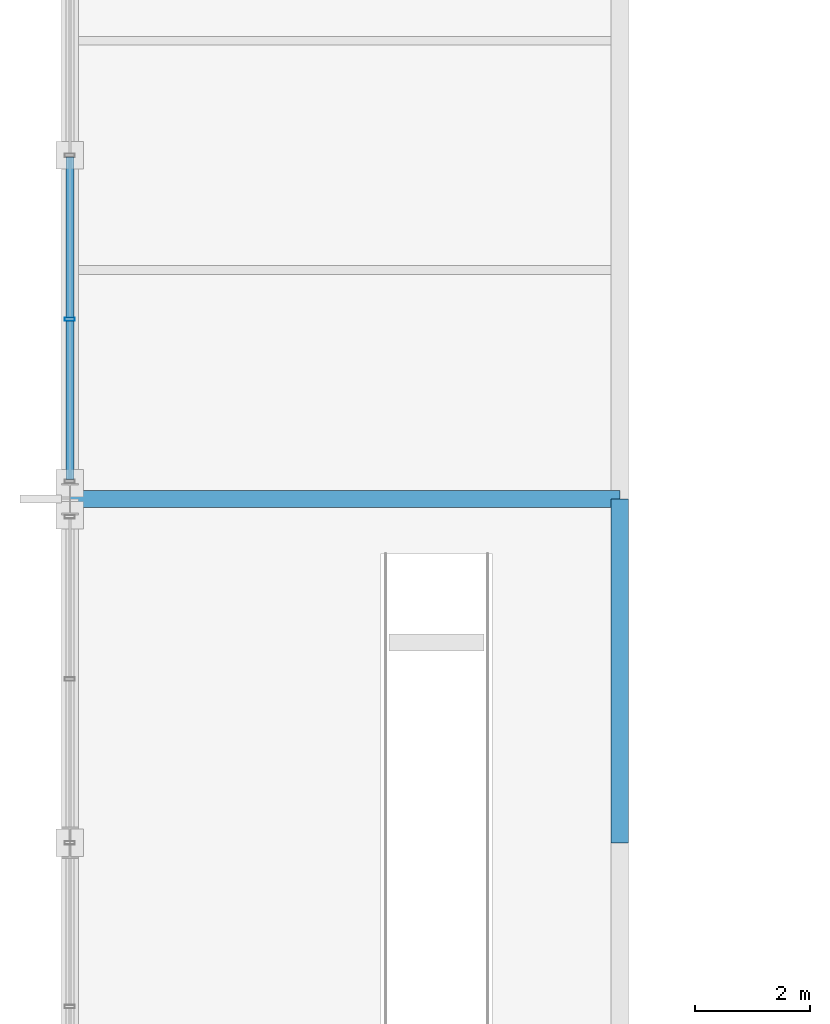
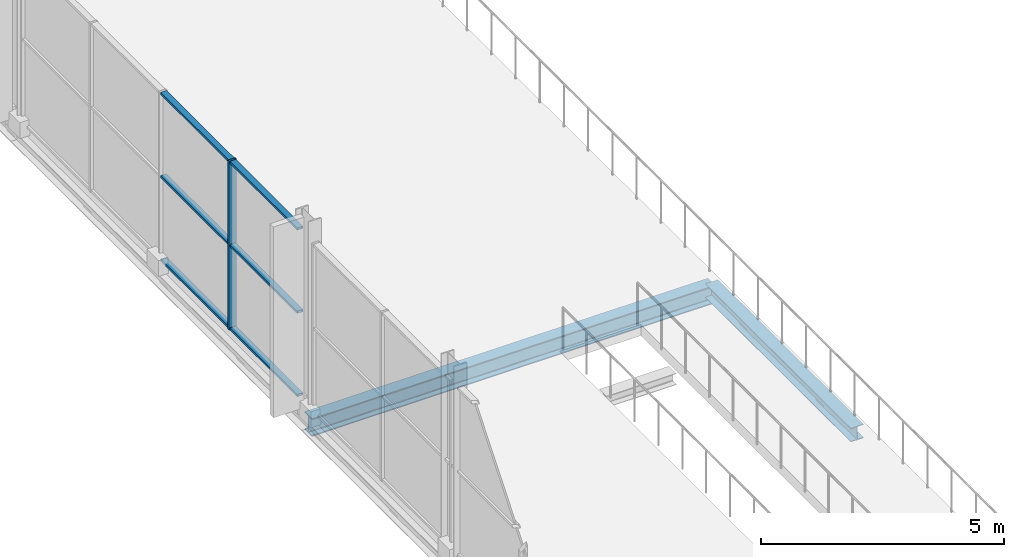
# One storey, part 35 of 159: 7 members, 2 beams, 1 element without a shape of its own.
"""IFC4 building model written with IfcOpenShell, lengths in metres."""

from ifc_helpers import new_model, si_unit, direction, frame, origin, origin_2d, place, context, subcontext, project, spatial, hollow_rectangle, i_section, extrude, material, material_profile, profile_set, type_object, element, aggregate, save


model = new_model("IFC4")

# Units and contexts
model_context = context("Model", 3, precision=1e-05, world=origin(), true_north=direction((0.0, 1.0)))
body_context = subcontext(model_context, "Body", "Model", "MODEL_VIEW")
ifc_project = project(units=[si_unit("LENGTHUNIT", "METRE"), si_unit("AREAUNIT", "SQUARE_METRE"), si_unit("VOLUMEUNIT", "CUBIC_METRE"), si_unit("PLANEANGLEUNIT", "RADIAN"), si_unit("MASSUNIT", "GRAM", prefix="KILO")], contexts=[model_context])

# Site, building, storey
site_placement = place(None, origin())
site = spatial("IfcSite", under=ifc_project, at=site_placement, CompositionType="ELEMENT")
building_placement = place(site_placement, origin())
building = spatial("IfcBuilding", under=site, at=building_placement, Name="Merenkruunu Market Hall", CompositionType="ELEMENT")
storey_placement = place(building_placement, frame((0.0, 0.0, 5.39990234375)))
storey = spatial("IfcBuildingStorey", under=building, at=storey_placement, Name="L01", CompositionType="ELEMENT", Elevation=5.39990234375)

# Curtain wall, members
ifc_material_1 = material(Name="Powder-coated aluminium", Category="aluminium")
curtain_wall_type = type_object("IfcCurtainWallType", Name="Glazed Curtain Wall CW02", PredefinedType="USERDEFINED", material=ifc_material_1)
curtain_wall_placement = place(storey_placement, origin())
curtain_wall = element("IfcCurtainWall", 1, at=curtain_wall_placement, inside=storey, type_object=curtain_wall_type, Name="CW-L01-CWM02-011", ObjectType="GLAZED_FACADE", PredefinedType="USERDEFINED")
ifc_material_profile_1 = material_profile(ifc_material_1, hollow_rectangle(XDim=0.06005859375, YDim=0.179931640625, WallThickness=0.00390625, at=origin_2d()), Name="ALU 60x180x4")
ifc_profile_set_1 = profile_set([ifc_material_profile_1], Name="Powder-coated aluminium")
member_type_1 = type_object("IfcMemberType", Name="Curtain Wall Mullion CWM02", PredefinedType="MULLION", material=ifc_profile_set_1)
member_1_placement = place(storey_placement, frame((0.0, 54.739990234375, 0.0), z_axis=(0.0, 0.0, 1.0), x_axis=(0.0, 1.0, 0.0)))
member_1 = element("IfcMember", 2, at=member_1_placement, type_object=member_type_1, Name="CW02 mullion 2", PredefinedType="MULLION", context=body_context, shape_type="SweptSolid", body=[
    extrude(hollow_rectangle(XDim=0.06005859375, YDim=0.179931640625, WallThickness=0.00390625, at=origin_2d()), origin(), (0.0, 0.0, 1.0), 4.25),
])
ifc_material_profile_2 = material_profile(ifc_material_1, hollow_rectangle(XDim=0.06005859375, YDim=0.139892578125, WallThickness=0.00390625, at=origin_2d()), Name="ALU 60x140x4")
ifc_profile_set_2 = profile_set([ifc_material_profile_2], Name="Powder-coated aluminium")
member_type_2 = type_object("IfcMemberType", Name="Curtain Wall Transom CWT02", PredefinedType="USERDEFINED", material=ifc_profile_set_2)
member_2_placement = place(storey_placement, frame((0.0, 51.93994140625, 0.030029296875), z_axis=(0.0, 1.0, 0.0), x_axis=(0.0, 0.0, 1.0)))
member_2 = element("IfcMember", 3, at=member_2_placement, type_object=member_type_2, Name="CW02 transom 1.1", ObjectType="TRANSOM", PredefinedType="USERDEFINED", context=body_context, shape_type="SweptSolid", body=[
    extrude(hollow_rectangle(XDim=0.06005859375, YDim=0.139892578125, WallThickness=0.00390625, at=origin_2d()), origin(), (0.0, 0.0, 1.0), 2.77001953125),
])
member_3_placement = place(storey_placement, frame((0.0, 51.93994140625, 2.125), z_axis=(0.0, 1.0, 0.0), x_axis=(0.0, 0.0, 1.0)))
member_3 = element("IfcMember", 4, at=member_3_placement, type_object=member_type_2, Name="CW02 transom 1.2", ObjectType="TRANSOM", PredefinedType="USERDEFINED", context=body_context, shape_type="SweptSolid", body=[
    extrude(hollow_rectangle(XDim=0.06005859375, YDim=0.139892578125, WallThickness=0.00390625, at=origin_2d()), origin(), (0.0, 0.0, 1.0), 2.77001953125),
])
member_4_placement = place(storey_placement, frame((0.0, 51.93994140625, 4.22021484375), z_axis=(0.0, 1.0, 0.0), x_axis=(0.0, 0.0, 1.0)))
member_4 = element("IfcMember", 5, at=member_4_placement, type_object=member_type_2, Name="CW02 transom 1.3", ObjectType="TRANSOM", PredefinedType="USERDEFINED", context=body_context, shape_type="SweptSolid", body=[
    extrude(hollow_rectangle(XDim=0.06005859375, YDim=0.139892578125, WallThickness=0.00390625, at=origin_2d()), origin(), (0.0, 0.0, 1.0), 2.77001953125),
])
member_5_placement = place(storey_placement, frame((0.0, 54.77001953125, 0.030029296875), z_axis=(0.0, 1.0, 0.0), x_axis=(0.0, 0.0, 1.0)))
member_5 = element("IfcMember", 6, at=member_5_placement, type_object=member_type_2, Name="CW02 transom 2.1", ObjectType="TRANSOM", PredefinedType="USERDEFINED", context=body_context, shape_type="SweptSolid", body=[
    extrude(hollow_rectangle(XDim=0.06005859375, YDim=0.139892578125, WallThickness=0.00390625, at=origin_2d()), origin(), (0.0, 0.0, 1.0), 2.800048828125),
])
member_6_placement = place(storey_placement, frame((0.0, 54.77001953125, 2.125), z_axis=(0.0, 1.0, 0.0), x_axis=(0.0, 0.0, 1.0)))
member_6 = element("IfcMember", 7, at=member_6_placement, type_object=member_type_2, Name="CW02 transom 2.2", ObjectType="TRANSOM", PredefinedType="USERDEFINED", context=body_context, shape_type="SweptSolid", body=[
    extrude(hollow_rectangle(XDim=0.06005859375, YDim=0.139892578125, WallThickness=0.00390625, at=origin_2d()), origin(), (0.0, 0.0, 1.0), 2.800048828125),
])
member_7_placement = place(storey_placement, frame((0.0, 54.77001953125, 4.22021484375), z_axis=(0.0, 1.0, 0.0), x_axis=(0.0, 0.0, 1.0)))
member_7 = element("IfcMember", 8, at=member_7_placement, type_object=member_type_2, Name="CW02 transom 2.3", ObjectType="TRANSOM", PredefinedType="USERDEFINED", context=body_context, shape_type="SweptSolid", body=[
    extrude(hollow_rectangle(XDim=0.06005859375, YDim=0.139892578125, WallThickness=0.00390625, at=origin_2d()), origin(), (0.0, 0.0, 1.0), 2.800048828125),
])
aggregate(curtain_wall, [member_1, member_2, member_3, member_4, member_5, member_6, member_7])

# Beams
ifc_material_2 = material(Name="Steel S355J2", Category="steel")
ifc_material_profile_3 = material_profile(ifc_material_2, i_section(OverallWidth=0.300048828125, OverallDepth=0.449951171875, WebThickness=0.013916015625, FlangeThickness=0.02587890625, FilletRadius=0.027099609375, at=origin_2d()), Name="HEB 450")
ifc_profile_set_3 = profile_set([ifc_material_profile_3], Name="Steel S355J2")
beam_type_1 = type_object("IfcBeamType", Name="Primary Floor Girder B03", PredefinedType="BEAM", material=ifc_profile_set_3)
beam_1_placement = place(storey_placement, frame((0.0, 51.60009765625, -0.5048828125), z_axis=(1.0, 0.0, 0.0), x_axis=(0.0, 1.0, 0.0)))
element("IfcBeam", 9, at=beam_1_placement, inside=storey, type_object=beam_type_1, Name="BM-L01-B03-0519", PredefinedType="BEAM", context=body_context, shape_type="SweptSolid", body=[
    extrude(i_section(OverallWidth=0.300048828125, OverallDepth=0.449951171875, WebThickness=0.013916015625, FlangeThickness=0.02587890625, FilletRadius=0.027099609375, at=origin_2d()), origin(), (0.0, 0.0, 1.0), 9.60009765625),
])
ifc_material_profile_4 = material_profile(ifc_material_2, i_section(OverallWidth=0.300048828125, OverallDepth=0.35009765625, WebThickness=0.010009765625, FlangeThickness=0.017578125, FilletRadius=0.027099609375, at=origin_2d()), Name="HEA 360")
ifc_profile_set_4 = profile_set([ifc_material_profile_4], Name="Steel S355J2")
beam_type_2 = type_object("IfcBeamType", Name="Primary Floor Girder B08", PredefinedType="BEAM", material=ifc_profile_set_4)
beam_2_placement = place(storey_placement, frame((9.60009765625, 45.60009765625, -0.454833984375), z_axis=(0.0, 1.0, 0.0), x_axis=(-1.0, 0.0, 0.0)))
element("IfcBeam", 10, at=beam_2_placement, inside=storey, type_object=beam_type_2, Name="BM-L01-B08-0562", PredefinedType="BEAM", context=body_context, shape_type="SweptSolid", body=[
    extrude(i_section(OverallWidth=0.300048828125, OverallDepth=0.35009765625, WebThickness=0.010009765625, FlangeThickness=0.017578125, FilletRadius=0.027099609375, at=origin_2d()), origin(), (0.0, 0.0, 1.0), 6.0),
])

save(model, "model.ifc")
